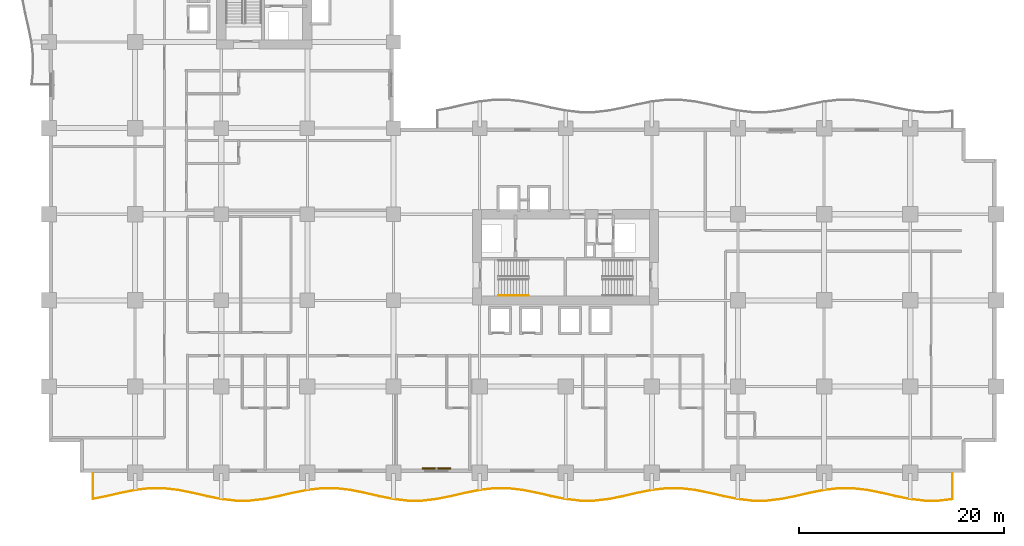
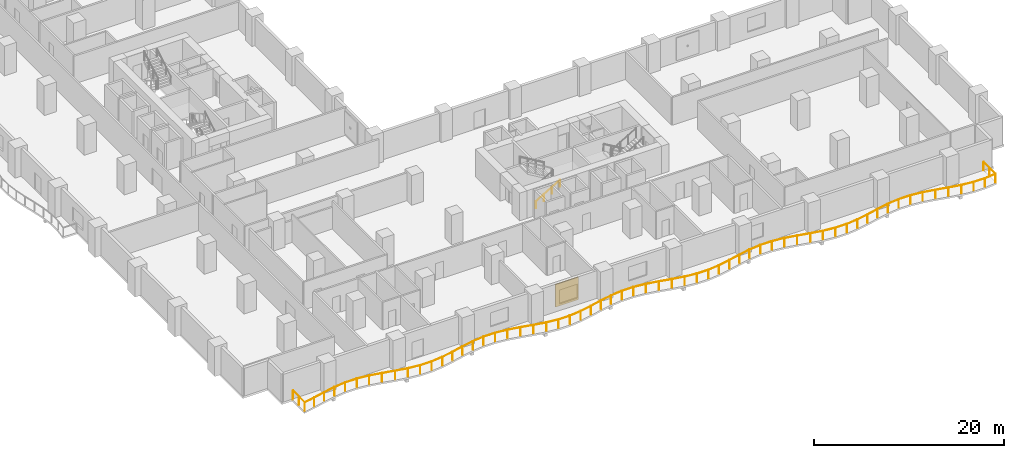
# One storey, part 17 of 20: 2 railings, 1 shading device.
"""IFC4 building model written with IfcOpenShell, lengths in metres."""

from ifc_helpers import new_model, si_unit, direction, frame, origin, origin_2d, place, context, subcontext, project, spatial, rectangle, circle, extrude, material, layer, layer_set, type_object, element, save


model = new_model("IFC4")

# Units and contexts
model_context = context("Model", 3, precision=1e-05, world=origin(), true_north=direction((0.0, 1.0)))
body_context = subcontext(model_context, "Body", "Model", "MODEL_VIEW")
ifc_project = project(units=[si_unit("LENGTHUNIT", "METRE"), si_unit("AREAUNIT", "SQUARE_METRE"), si_unit("VOLUMEUNIT", "CUBIC_METRE"), si_unit("PLANEANGLEUNIT", "RADIAN"), si_unit("MASSUNIT", "GRAM", prefix="KILO")], contexts=[model_context])

# Site, building, storey
site_placement = place(None, origin())
site = spatial("IfcSite", under=ifc_project, at=site_placement, CompositionType="ELEMENT")
building_placement = place(site_placement, origin())
building = spatial("IfcBuilding", under=site, at=building_placement, Name="Koriwani Terraces Tower", CompositionType="ELEMENT")
storey_placement = place(building_placement, frame((0.0, 0.0, 58.60009765625)))
storey = spatial("IfcBuildingStorey", under=building, at=storey_placement, Name="L13", CompositionType="ELEMENT", Elevation=58.60009765625)

# Railings
ifc_material_1 = material(Name="Steel ASTM A572 Grade 50", Category="steel")
railing_type_1 = type_object("IfcRailingType", Name="GUARD_BALUSTRADE_1150", PredefinedType="BALUSTRADE", material=ifc_material_1)
railing_1_placement = place(storey_placement, frame((4.280029296875, -0.080078125, 0.0)))
element("IfcRailing", 1, at=railing_1_placement, inside=storey, type_object=railing_type_1, Name="L13 Balcony Perimeter Safety Balustrade (S)", PredefinedType="BALUSTRADE", context=body_context, shape_type="SweptSolid", body=[
    extrude(circle(Radius=0.02392578125, at=origin_2d()), frame((0.0, 0.0, 1.1259765625), z_axis=(0.0, -1.0, 0.0), x_axis=(1.0, 0.0, 0.0)), (0.0, 0.0, 1.0), 2.4892578125),
    extrude(circle(Radius=0.02392578125, at=origin_2d()), frame((0.0, -2.4892578125, 1.1259765625), z_axis=(0.98055947051, 0.196222131254, 0.0), x_axis=(-0.196222131254, 0.98055947051, 0.0)), (0.0, 0.0, 1.0), 1.328857421875),
    extrude(circle(Radius=0.02392578125, at=origin_2d()), frame((1.302978515625, -2.228515625, 1.1259765625), z_axis=(0.974333896935, 0.225107657095, 0.0), x_axis=(-0.225107657095, 0.974333896935, 0.0)), (0.0, 0.0, 1.0), 1.43701171875),
    extrude(circle(Radius=0.02392578125, at=origin_2d()), frame((2.703125, -1.905029296875, 1.1259765625), z_axis=(0.980567562379, 0.196181690301, 0.0), x_axis=(-0.196181690301, 0.980567562379, 0.0)), (0.0, 0.0, 1.0), 1.432373046875),
    extrude(circle(Radius=0.02392578125, at=origin_2d()), frame((4.107666015625, -1.6240234375, 1.1259765625), z_axis=(0.993395347306, 0.114741814309, 0.0), x_axis=(-0.114741814309, 0.993395347306, 0.0)), (0.0, 0.0, 1.0), 1.4169921875),
    extrude(circle(Radius=0.02392578125, at=origin_2d()), frame((5.515380859375, -1.46142578125, 1.1259765625), z_axis=(1.0, 0.0, 0.0), x_axis=(0.0, 1.0, 0.0)), (0.0, 0.0, 1.0), 1.4091796875),
    extrude(circle(Radius=0.02392578125, at=origin_2d()), frame((6.924560546875, -1.46142578125, 1.1259765625), z_axis=(0.993395347306, -0.114741814309, 0.0), x_axis=(0.114741814309, 0.993395347306, 0.0)), (0.0, 0.0, 1.0), 1.4169921875),
    extrude(circle(Radius=0.02392578125, at=origin_2d()), frame((8.332275390625, -1.6240234375, 1.1259765625), z_axis=(0.980567562379, -0.196181690301, 0.0), x_axis=(0.196181690301, 0.980567562379, 0.0)), (0.0, 0.0, 1.0), 1.432373046875),
    extrude(circle(Radius=0.02392578125, at=origin_2d()), frame((9.73681640625, -1.905029296875, 1.1259765625), z_axis=(0.974333896935, -0.225107657095, 0.0), x_axis=(0.225107657095, 0.974333896935, 0.0)), (0.0, 0.0, 1.0), 1.43701171875),
    extrude(circle(Radius=0.02392578125, at=origin_2d()), frame((11.136962890625, -2.228515625, 1.1259765625), z_axis=(0.980554275191, -0.196248091466, 0.0), x_axis=(0.196248091466, 0.980554275191, 0.0)), (0.0, 0.0, 1.0), 1.423095703125),
    extrude(circle(Radius=0.02392578125, at=origin_2d()), frame((12.532470703125, -2.5078125, 1.1259765625), z_axis=(0.993387554732, -0.114809259658, 0.0), x_axis=(0.114809259658, 0.993387554732, 0.0)), (0.0, 0.0, 1.0), 1.4013671875),
    extrude(circle(Radius=0.02392578125, at=origin_2d()), frame((13.924560546875, -2.668701171875, 1.1259765625), z_axis=(1.0, 0.0, 0.0), x_axis=(0.0, 1.0, 0.0)), (0.0, 0.0, 1.0), 1.390869140625),
    extrude(circle(Radius=0.02392578125, at=origin_2d()), frame((15.3154296875, -2.668701171875, 1.1259765625), z_axis=(0.993387554732, 0.114809259658, 0.0), x_axis=(-0.114809259658, 0.993387554732, 0.0)), (0.0, 0.0, 1.0), 1.4013671875),
    extrude(circle(Radius=0.02392578125, at=origin_2d()), frame((16.70751953125, -2.5078125, 1.1259765625), z_axis=(0.980554275191, 0.196248091466, 0.0), x_axis=(-0.196248091466, 0.980554275191, 0.0)), (0.0, 0.0, 1.0), 1.423095703125),
    extrude(circle(Radius=0.02392578125, at=origin_2d()), frame((18.10302734375, -2.228515625, 1.1259765625), z_axis=(0.974333896935, 0.225107657095, 0.0), x_axis=(-0.225107657095, 0.974333896935, 0.0)), (0.0, 0.0, 1.0), 1.43701171875),
    extrude(circle(Radius=0.02392578125, at=origin_2d()), frame((19.503173828125, -1.905029296875, 1.1259765625), z_axis=(0.980561000791, 0.19621448399, 0.0), x_axis=(-0.19621448399, 0.980561000791, 0.0)), (0.0, 0.0, 1.0), 1.43212890625),
    extrude(circle(Radius=0.02392578125, at=origin_2d()), frame((20.907470703125, -1.6240234375, 1.1259765625), z_axis=(0.993397614974, 0.114722179915, 0.0), x_axis=(-0.114722179915, 0.993397614974, 0.0)), (0.0, 0.0, 1.0), 1.417236328125),
    extrude(circle(Radius=0.02392578125, at=origin_2d()), frame((22.3154296875, -1.46142578125, 1.1259765625), z_axis=(1.0, 0.0, 0.0), x_axis=(0.0, 1.0, 0.0)), (0.0, 0.0, 1.0), 1.4091796875),
    extrude(circle(Radius=0.02392578125, at=origin_2d()), frame((23.724609375, -1.46142578125, 1.1259765625), z_axis=(0.993395347306, -0.114741814309, 0.0), x_axis=(0.114741814309, 0.993395347306, 0.0)), (0.0, 0.0, 1.0), 1.4169921875),
    extrude(circle(Radius=0.02392578125, at=origin_2d()), frame((25.13232421875, -1.6240234375, 1.1259765625), z_axis=(0.980567562379, -0.196181690301, 0.0), x_axis=(0.196181690301, 0.980567562379, 0.0)), (0.0, 0.0, 1.0), 1.432373046875),
    extrude(circle(Radius=0.02392578125, at=origin_2d()), frame((26.536865234375, -1.905029296875, 1.1259765625), z_axis=(0.974325285753, -0.225144925641, 0.0), x_axis=(0.225144925641, 0.974325285753, 0.0)), (0.0, 0.0, 1.0), 1.436767578125),
    extrude(circle(Radius=0.02392578125, at=origin_2d()), frame((27.936767578125, -2.228515625, 1.1259765625), z_axis=(0.980560880312, -0.196215086073, 0.0), x_axis=(0.196215086073, 0.980560880312, 0.0)), (0.0, 0.0, 1.0), 1.42333984375),
    extrude(circle(Radius=0.02392578125, at=origin_2d()), frame((29.33251953125, -2.5078125, 1.1259765625), z_axis=(0.993387554732, -0.114809259658, 0.0), x_axis=(0.114809259658, 0.993387554732, 0.0)), (0.0, 0.0, 1.0), 1.4013671875),
    extrude(circle(Radius=0.02392578125, at=origin_2d()), frame((30.724609375, -2.668701171875, 1.1259765625), z_axis=(1.0, 0.0, 0.0), x_axis=(0.0, 1.0, 0.0)), (0.0, 0.0, 1.0), 1.390869140625),
    extrude(circle(Radius=0.02392578125, at=origin_2d()), frame((32.115478515625, -2.668701171875, 1.1259765625), z_axis=(0.993387554732, 0.114809259658, 0.0), x_axis=(-0.114809259658, 0.993387554732, 0.0)), (0.0, 0.0, 1.0), 1.4013671875),
    extrude(circle(Radius=0.02392578125, at=origin_2d()), frame((33.507568359375, -2.5078125, 1.1259765625), z_axis=(0.980554275191, 0.196248091466, 0.0), x_axis=(-0.196248091466, 0.980554275191, 0.0)), (0.0, 0.0, 1.0), 1.423095703125),
    extrude(circle(Radius=0.02392578125, at=origin_2d()), frame((34.903076171875, -2.228515625, 1.1259765625), z_axis=(0.974325285753, 0.225144925641, 0.0), x_axis=(-0.225144925641, 0.974325285753, 0.0)), (0.0, 0.0, 1.0), 1.436767578125),
    extrude(circle(Radius=0.02392578125, at=origin_2d()), frame((36.302978515625, -1.905029296875, 1.1259765625), z_axis=(0.980567562379, 0.196181690301, 0.0), x_axis=(-0.196181690301, 0.980567562379, 0.0)), (0.0, 0.0, 1.0), 1.432373046875),
    extrude(circle(Radius=0.02392578125, at=origin_2d()), frame((37.70751953125, -1.6240234375, 1.1259765625), z_axis=(0.993397614974, 0.114722179915, 0.0), x_axis=(-0.114722179915, 0.993397614974, 0.0)), (0.0, 0.0, 1.0), 1.417236328125),
    extrude(circle(Radius=0.02392578125, at=origin_2d()), frame((39.115478515625, -1.46142578125, 1.1259765625), z_axis=(1.0, 0.0, 0.0), x_axis=(0.0, 1.0, 0.0)), (0.0, 0.0, 1.0), 1.4091796875),
    extrude(circle(Radius=0.02392578125, at=origin_2d()), frame((40.524658203125, -1.46142578125, 1.1259765625), z_axis=(0.993395347306, -0.114741814309, 0.0), x_axis=(0.114741814309, 0.993395347306, 0.0)), (0.0, 0.0, 1.0), 1.4169921875),
    extrude(circle(Radius=0.02392578125, at=origin_2d()), frame((41.932373046875, -1.6240234375, 1.1259765625), z_axis=(0.980567562379, -0.196181690301, 0.0), x_axis=(0.196181690301, 0.980567562379, 0.0)), (0.0, 0.0, 1.0), 1.432373046875),
    extrude(circle(Radius=0.02392578125, at=origin_2d()), frame((43.3369140625, -1.905029296875, 1.1259765625), z_axis=(0.974325285753, -0.225144925641, 0.0), x_axis=(0.225144925641, 0.974325285753, 0.0)), (0.0, 0.0, 1.0), 1.436767578125),
    extrude(circle(Radius=0.02392578125, at=origin_2d()), frame((44.73681640625, -2.228515625, 1.1259765625), z_axis=(0.980560880312, -0.196215086073, 0.0), x_axis=(0.196215086073, 0.980560880312, 0.0)), (0.0, 0.0, 1.0), 1.42333984375),
    extrude(circle(Radius=0.02392578125, at=origin_2d()), frame((46.132568359375, -2.5078125, 1.1259765625), z_axis=(0.993387554732, -0.114809259658, 0.0), x_axis=(0.114809259658, 0.993387554732, 0.0)), (0.0, 0.0, 1.0), 1.4013671875),
    extrude(circle(Radius=0.02392578125, at=origin_2d()), frame((47.524658203125, -2.668701171875, 1.1259765625), z_axis=(1.0, 0.0, 0.0), x_axis=(0.0, 1.0, 0.0)), (0.0, 0.0, 1.0), 1.390625),
    extrude(circle(Radius=0.02392578125, at=origin_2d()), frame((48.915283203125, -2.668701171875, 1.1259765625), z_axis=(0.993387554732, 0.114809259658, 0.0), x_axis=(-0.114809259658, 0.993387554732, 0.0)), (0.0, 0.0, 1.0), 1.4013671875),
    extrude(circle(Radius=0.02392578125, at=origin_2d()), frame((50.307373046875, -2.5078125, 1.1259765625), z_axis=(0.980560880312, 0.196215086073, 0.0), x_axis=(-0.196215086073, 0.980560880312, 0.0)), (0.0, 0.0, 1.0), 1.42333984375),
    extrude(circle(Radius=0.02392578125, at=origin_2d()), frame((51.703125, -2.228515625, 1.1259765625), z_axis=(0.974325285753, 0.225144925641, 0.0), x_axis=(-0.225144925641, 0.974325285753, 0.0)), (0.0, 0.0, 1.0), 1.436767578125),
    extrude(circle(Radius=0.02392578125, at=origin_2d()), frame((53.10302734375, -1.905029296875, 1.1259765625), z_axis=(0.980567562379, 0.196181690301, 0.0), x_axis=(-0.196181690301, 0.980567562379, 0.0)), (0.0, 0.0, 1.0), 1.432373046875),
    extrude(circle(Radius=0.02392578125, at=origin_2d()), frame((54.507568359375, -1.6240234375, 1.1259765625), z_axis=(0.993395347306, 0.114741814309, 0.0), x_axis=(-0.114741814309, 0.993395347306, 0.0)), (0.0, 0.0, 1.0), 1.4169921875),
    extrude(circle(Radius=0.02392578125, at=origin_2d()), frame((55.915283203125, -1.46142578125, 1.1259765625), z_axis=(1.0, 0.0, 0.0), x_axis=(0.0, 1.0, 0.0)), (0.0, 0.0, 1.0), 1.4091796875),
    extrude(circle(Radius=0.02392578125, at=origin_2d()), frame((57.324462890625, -1.46142578125, 1.1259765625), z_axis=(0.993397614974, -0.114722179915, 0.0), x_axis=(0.114722179915, 0.993397614974, 0.0)), (0.0, 0.0, 1.0), 1.417236328125),
    extrude(circle(Radius=0.02392578125, at=origin_2d()), frame((58.732421875, -1.6240234375, 1.1259765625), z_axis=(0.980567562379, -0.196181690301, 0.0), x_axis=(0.196181690301, 0.980567562379, 0.0)), (0.0, 0.0, 1.0), 1.432373046875),
    extrude(circle(Radius=0.02392578125, at=origin_2d()), frame((60.136962890625, -1.905029296875, 1.1259765625), z_axis=(0.974325285753, -0.225144925641, 0.0), x_axis=(0.225144925641, 0.974325285753, 0.0)), (0.0, 0.0, 1.0), 1.436767578125),
    extrude(circle(Radius=0.02392578125, at=origin_2d()), frame((61.536865234375, -2.228515625, 1.1259765625), z_axis=(0.980554275191, -0.196248091466, 0.0), x_axis=(0.196248091466, 0.980554275191, 0.0)), (0.0, 0.0, 1.0), 1.423095703125),
    extrude(circle(Radius=0.02392578125, at=origin_2d()), frame((62.932373046875, -2.5078125, 1.1259765625), z_axis=(0.993387554732, -0.114809259658, 0.0), x_axis=(0.114809259658, 0.993387554732, 0.0)), (0.0, 0.0, 1.0), 1.4013671875),
    extrude(circle(Radius=0.02392578125, at=origin_2d()), frame((64.324462890625, -2.668701171875, 1.1259765625), z_axis=(1.0, 0.0, 0.0), x_axis=(0.0, 1.0, 0.0)), (0.0, 0.0, 1.0), 1.390869140625),
    extrude(circle(Radius=0.02392578125, at=origin_2d()), frame((65.71533203125, -2.668701171875, 1.1259765625), z_axis=(0.993387554732, 0.114809259658, 0.0), x_axis=(-0.114809259658, 0.993387554732, 0.0)), (0.0, 0.0, 1.0), 1.4013671875),
    extrude(circle(Radius=0.02392578125, at=origin_2d()), frame((67.107421875, -2.5078125, 1.1259765625), z_axis=(0.980560880312, 0.196215086073, 0.0), x_axis=(-0.196215086073, 0.980560880312, 0.0)), (0.0, 0.0, 1.0), 1.42333984375),
    extrude(circle(Radius=0.02392578125, at=origin_2d()), frame((68.503173828125, -2.228515625, 1.1259765625), z_axis=(0.974325285753, 0.225144925641, 0.0), x_axis=(-0.225144925641, 0.974325285753, 0.0)), (0.0, 0.0, 1.0), 1.436767578125),
    extrude(circle(Radius=0.02392578125, at=origin_2d()), frame((69.903076171875, -1.905029296875, 1.1259765625), z_axis=(0.980567562379, 0.196181690301, 0.0), x_axis=(-0.196181690301, 0.980567562379, 0.0)), (0.0, 0.0, 1.0), 1.432373046875),
    extrude(circle(Radius=0.02392578125, at=origin_2d()), frame((71.3076171875, -1.6240234375, 1.1259765625), z_axis=(0.993395347306, 0.114741814309, 0.0), x_axis=(-0.114741814309, 0.993395347306, 0.0)), (0.0, 0.0, 1.0), 1.4169921875),
    extrude(circle(Radius=0.02392578125, at=origin_2d()), frame((72.71533203125, -1.46142578125, 1.1259765625), z_axis=(1.0, 0.0, 0.0), x_axis=(0.0, 1.0, 0.0)), (0.0, 0.0, 1.0), 1.4091796875),
    extrude(circle(Radius=0.02392578125, at=origin_2d()), frame((74.12451171875, -1.46142578125, 1.1259765625), z_axis=(0.993397614974, -0.114722179915, 0.0), x_axis=(0.114722179915, 0.993397614974, 0.0)), (0.0, 0.0, 1.0), 1.417236328125),
    extrude(circle(Radius=0.02392578125, at=origin_2d()), frame((75.532470703125, -1.6240234375, 1.1259765625), z_axis=(0.980561000791, -0.19621448399, 0.0), x_axis=(0.19621448399, 0.980561000791, 0.0)), (0.0, 0.0, 1.0), 1.43212890625),
    extrude(circle(Radius=0.02392578125, at=origin_2d()), frame((76.936767578125, -1.905029296875, 1.1259765625), z_axis=(0.974333896935, -0.225107657095, 0.0), x_axis=(0.225107657095, 0.974333896935, 0.0)), (0.0, 0.0, 1.0), 1.43701171875),
    extrude(circle(Radius=0.02392578125, at=origin_2d()), frame((78.3369140625, -2.228515625, 1.1259765625), z_axis=(0.980554275191, -0.196248091466, 0.0), x_axis=(0.196248091466, 0.980554275191, 0.0)), (0.0, 0.0, 1.0), 1.423095703125),
    extrude(circle(Radius=0.02392578125, at=origin_2d()), frame((79.732421875, -2.5078125, 1.1259765625), z_axis=(0.993387554732, -0.114809259658, 0.0), x_axis=(0.114809259658, 0.993387554732, 0.0)), (0.0, 0.0, 1.0), 1.4013671875),
    extrude(circle(Radius=0.02392578125, at=origin_2d()), frame((81.12451171875, -2.668701171875, 1.1259765625), z_axis=(1.0, 0.0, 0.0), x_axis=(0.0, 1.0, 0.0)), (0.0, 0.0, 1.0), 1.390869140625),
    extrude(circle(Radius=0.02392578125, at=origin_2d()), frame((82.515380859375, -2.668701171875, 1.1259765625), z_axis=(0.993389678473, 0.114790882492, 0.0), x_axis=(-0.114790882492, 0.993389678473, 0.0)), (0.0, 0.0, 1.0), 1.33349609375),
    extrude(circle(Radius=0.02392578125, at=origin_2d()), frame((83.840087890625, -2.515625, 1.1259765625), z_axis=(0.0, 1.0, 0.0), x_axis=(-1.0, 0.0, 0.0)), (0.0, 0.0, 1.0), 2.515625),
    extrude(circle(Radius=0.02099609375, at=origin_2d()), origin(), (0.0, 0.0, 1.0), 1.101806640625),
    extrude(circle(Radius=0.02099609375, at=origin_2d()), frame((0.0, -1.24462890625, 0.0)), (0.0, 0.0, 1.0), 1.101806640625),
    extrude(circle(Radius=0.02099609375, at=origin_2d()), frame((0.0, -2.4892578125, 0.0)), (0.0, 0.0, 1.0), 1.101806640625),
    extrude(circle(Radius=0.02099609375, at=origin_2d()), frame((1.302978515625, -2.228515625, 0.0)), (0.0, 0.0, 1.0), 1.101806640625),
    extrude(circle(Radius=0.02099609375, at=origin_2d()), frame((2.703125, -1.905029296875, 0.0)), (0.0, 0.0, 1.0), 1.101806640625),
    extrude(circle(Radius=0.02099609375, at=origin_2d()), frame((4.107666015625, -1.6240234375, 0.0)), (0.0, 0.0, 1.0), 1.101806640625),
    extrude(circle(Radius=0.02099609375, at=origin_2d()), frame((5.515380859375, -1.46142578125, 0.0)), (0.0, 0.0, 1.0), 1.101806640625),
    extrude(circle(Radius=0.02099609375, at=origin_2d()), frame((6.924560546875, -1.46142578125, 0.0)), (0.0, 0.0, 1.0), 1.101806640625),
    extrude(circle(Radius=0.02099609375, at=origin_2d()), frame((8.332275390625, -1.6240234375, 0.0)), (0.0, 0.0, 1.0), 1.101806640625),
    extrude(circle(Radius=0.02099609375, at=origin_2d()), frame((9.73681640625, -1.905029296875, 0.0)), (0.0, 0.0, 1.0), 1.101806640625),
    extrude(circle(Radius=0.02099609375, at=origin_2d()), frame((11.136962890625, -2.228515625, 0.0)), (0.0, 0.0, 1.0), 1.101806640625),
    extrude(circle(Radius=0.02099609375, at=origin_2d()), frame((12.532470703125, -2.5078125, 0.0)), (0.0, 0.0, 1.0), 1.101806640625),
    extrude(circle(Radius=0.02099609375, at=origin_2d()), frame((13.924560546875, -2.668701171875, 0.0)), (0.0, 0.0, 1.0), 1.101806640625),
    extrude(circle(Radius=0.02099609375, at=origin_2d()), frame((15.3154296875, -2.668701171875, 0.0)), (0.0, 0.0, 1.0), 1.101806640625),
    extrude(circle(Radius=0.02099609375, at=origin_2d()), frame((16.70751953125, -2.5078125, 0.0)), (0.0, 0.0, 1.0), 1.101806640625),
    extrude(circle(Radius=0.02099609375, at=origin_2d()), frame((18.10302734375, -2.228515625, 0.0)), (0.0, 0.0, 1.0), 1.101806640625),
    extrude(circle(Radius=0.02099609375, at=origin_2d()), frame((19.503173828125, -1.905029296875, 0.0)), (0.0, 0.0, 1.0), 1.101806640625),
    extrude(circle(Radius=0.02099609375, at=origin_2d()), frame((20.907470703125, -1.6240234375, 0.0)), (0.0, 0.0, 1.0), 1.101806640625),
    extrude(circle(Radius=0.02099609375, at=origin_2d()), frame((22.3154296875, -1.46142578125, 0.0)), (0.0, 0.0, 1.0), 1.101806640625),
    extrude(circle(Radius=0.02099609375, at=origin_2d()), frame((23.724609375, -1.46142578125, 0.0)), (0.0, 0.0, 1.0), 1.101806640625),
    extrude(circle(Radius=0.02099609375, at=origin_2d()), frame((25.13232421875, -1.6240234375, 0.0)), (0.0, 0.0, 1.0), 1.101806640625),
    extrude(circle(Radius=0.02099609375, at=origin_2d()), frame((26.536865234375, -1.905029296875, 0.0)), (0.0, 0.0, 1.0), 1.101806640625),
    extrude(circle(Radius=0.02099609375, at=origin_2d()), frame((27.936767578125, -2.228515625, 0.0)), (0.0, 0.0, 1.0), 1.101806640625),
    extrude(circle(Radius=0.02099609375, at=origin_2d()), frame((29.33251953125, -2.5078125, 0.0)), (0.0, 0.0, 1.0), 1.101806640625),
    extrude(circle(Radius=0.02099609375, at=origin_2d()), frame((30.724609375, -2.668701171875, 0.0)), (0.0, 0.0, 1.0), 1.101806640625),
    extrude(circle(Radius=0.02099609375, at=origin_2d()), frame((32.115478515625, -2.668701171875, 0.0)), (0.0, 0.0, 1.0), 1.101806640625),
    extrude(circle(Radius=0.02099609375, at=origin_2d()), frame((33.507568359375, -2.5078125, 0.0)), (0.0, 0.0, 1.0), 1.101806640625),
    extrude(circle(Radius=0.02099609375, at=origin_2d()), frame((34.903076171875, -2.228515625, 0.0)), (0.0, 0.0, 1.0), 1.101806640625),
    extrude(circle(Radius=0.02099609375, at=origin_2d()), frame((36.302978515625, -1.905029296875, 0.0)), (0.0, 0.0, 1.0), 1.101806640625),
    extrude(circle(Radius=0.02099609375, at=origin_2d()), frame((37.70751953125, -1.6240234375, 0.0)), (0.0, 0.0, 1.0), 1.101806640625),
    extrude(circle(Radius=0.02099609375, at=origin_2d()), frame((39.115478515625, -1.46142578125, 0.0)), (0.0, 0.0, 1.0), 1.101806640625),
    extrude(circle(Radius=0.02099609375, at=origin_2d()), frame((40.524658203125, -1.46142578125, 0.0)), (0.0, 0.0, 1.0), 1.101806640625),
    extrude(circle(Radius=0.02099609375, at=origin_2d()), frame((41.932373046875, -1.6240234375, 0.0)), (0.0, 0.0, 1.0), 1.101806640625),
    extrude(circle(Radius=0.02099609375, at=origin_2d()), frame((43.3369140625, -1.905029296875, 0.0)), (0.0, 0.0, 1.0), 1.101806640625),
    extrude(circle(Radius=0.02099609375, at=origin_2d()), frame((44.73681640625, -2.228515625, 0.0)), (0.0, 0.0, 1.0), 1.101806640625),
    extrude(circle(Radius=0.02099609375, at=origin_2d()), frame((46.132568359375, -2.5078125, 0.0)), (0.0, 0.0, 1.0), 1.101806640625),
    extrude(circle(Radius=0.02099609375, at=origin_2d()), frame((47.524658203125, -2.668701171875, 0.0)), (0.0, 0.0, 1.0), 1.101806640625),
    extrude(circle(Radius=0.02099609375, at=origin_2d()), frame((48.915283203125, -2.668701171875, 0.0)), (0.0, 0.0, 1.0), 1.101806640625),
    extrude(circle(Radius=0.02099609375, at=origin_2d()), frame((50.307373046875, -2.5078125, 0.0)), (0.0, 0.0, 1.0), 1.101806640625),
    extrude(circle(Radius=0.02099609375, at=origin_2d()), frame((51.703125, -2.228515625, 0.0)), (0.0, 0.0, 1.0), 1.101806640625),
    extrude(circle(Radius=0.02099609375, at=origin_2d()), frame((53.10302734375, -1.905029296875, 0.0)), (0.0, 0.0, 1.0), 1.101806640625),
    extrude(circle(Radius=0.02099609375, at=origin_2d()), frame((54.507568359375, -1.6240234375, 0.0)), (0.0, 0.0, 1.0), 1.101806640625),
    extrude(circle(Radius=0.02099609375, at=origin_2d()), frame((55.915283203125, -1.46142578125, 0.0)), (0.0, 0.0, 1.0), 1.101806640625),
    extrude(circle(Radius=0.02099609375, at=origin_2d()), frame((57.324462890625, -1.46142578125, 0.0)), (0.0, 0.0, 1.0), 1.101806640625),
    extrude(circle(Radius=0.02099609375, at=origin_2d()), frame((58.732421875, -1.6240234375, 0.0)), (0.0, 0.0, 1.0), 1.101806640625),
    extrude(circle(Radius=0.02099609375, at=origin_2d()), frame((60.136962890625, -1.905029296875, 0.0)), (0.0, 0.0, 1.0), 1.101806640625),
    extrude(circle(Radius=0.02099609375, at=origin_2d()), frame((61.536865234375, -2.228515625, 0.0)), (0.0, 0.0, 1.0), 1.101806640625),
    extrude(circle(Radius=0.02099609375, at=origin_2d()), frame((62.932373046875, -2.5078125, 0.0)), (0.0, 0.0, 1.0), 1.101806640625),
    extrude(circle(Radius=0.02099609375, at=origin_2d()), frame((64.324462890625, -2.668701171875, 0.0)), (0.0, 0.0, 1.0), 1.101806640625),
    extrude(circle(Radius=0.02099609375, at=origin_2d()), frame((65.71533203125, -2.668701171875, 0.0)), (0.0, 0.0, 1.0), 1.101806640625),
    extrude(circle(Radius=0.02099609375, at=origin_2d()), frame((67.107421875, -2.5078125, 0.0)), (0.0, 0.0, 1.0), 1.101806640625),
    extrude(circle(Radius=0.02099609375, at=origin_2d()), frame((68.503173828125, -2.228515625, 0.0)), (0.0, 0.0, 1.0), 1.101806640625),
    extrude(circle(Radius=0.02099609375, at=origin_2d()), frame((69.903076171875, -1.905029296875, 0.0)), (0.0, 0.0, 1.0), 1.101806640625),
    extrude(circle(Radius=0.02099609375, at=origin_2d()), frame((71.3076171875, -1.6240234375, 0.0)), (0.0, 0.0, 1.0), 1.101806640625),
    extrude(circle(Radius=0.02099609375, at=origin_2d()), frame((72.71533203125, -1.46142578125, 0.0)), (0.0, 0.0, 1.0), 1.101806640625),
    extrude(circle(Radius=0.02099609375, at=origin_2d()), frame((74.12451171875, -1.46142578125, 0.0)), (0.0, 0.0, 1.0), 1.101806640625),
    extrude(circle(Radius=0.02099609375, at=origin_2d()), frame((75.532470703125, -1.6240234375, 0.0)), (0.0, 0.0, 1.0), 1.101806640625),
    extrude(circle(Radius=0.02099609375, at=origin_2d()), frame((76.936767578125, -1.905029296875, 0.0)), (0.0, 0.0, 1.0), 1.101806640625),
    extrude(circle(Radius=0.02099609375, at=origin_2d()), frame((78.3369140625, -2.228515625, 0.0)), (0.0, 0.0, 1.0), 1.101806640625),
    extrude(circle(Radius=0.02099609375, at=origin_2d()), frame((79.732421875, -2.5078125, 0.0)), (0.0, 0.0, 1.0), 1.101806640625),
    extrude(circle(Radius=0.02099609375, at=origin_2d()), frame((81.12451171875, -2.668701171875, 0.0)), (0.0, 0.0, 1.0), 1.101806640625),
    extrude(circle(Radius=0.02099609375, at=origin_2d()), frame((82.515380859375, -2.668701171875, 0.0)), (0.0, 0.0, 1.0), 1.101806640625),
    extrude(circle(Radius=0.02099609375, at=origin_2d()), frame((83.840087890625, -2.515625, 0.0)), (0.0, 0.0, 1.0), 1.101806640625),
    extrude(circle(Radius=0.02099609375, at=origin_2d()), frame((83.840087890625, -1.2578125, 0.0)), (0.0, 0.0, 1.0), 1.101806640625),
    extrude(circle(Radius=0.02099609375, at=origin_2d()), frame((83.840087890625, 0.0, 0.0)), (0.0, 0.0, 1.0), 1.101806640625),
])
railing_type_2 = type_object("IfcRailingType", Name="HANDRAIL_STAIR_920", PredefinedType="HANDRAIL", material=ifc_material_1)
railing_2_placement = place(storey_placement, frame((43.85009765625, 17.300048828125, 0.172607421875)))
element("IfcRailing", 2, at=railing_2_placement, inside=storey, type_object=railing_type_2, Name="L13 ST-E1 stair handrail 1", PredefinedType="HANDRAIL", context=body_context, shape_type="SweptSolid", body=[
    extrude(circle(Radius=0.02392578125, at=origin_2d()), frame((0.0, 0.0, 0.8759765625), z_axis=(0.859141464434, 0.0, 0.511738159696), x_axis=(0.0, 1.0, 0.0)), (0.0, 0.0, 1.0), 3.375244140625),
    extrude(circle(Radius=0.02099609375, at=origin_2d()), origin(), (0.0, 0.0, 1.0), 0.851806640625),
    extrude(circle(Radius=0.02099609375, at=origin_2d()), frame((0.966552734375, 0.0, 0.57568359375)), (0.0, 0.0, 1.0), 0.851806640625),
    extrude(circle(Radius=0.02099609375, at=origin_2d()), frame((1.933349609375, 0.0, 1.151611328125)), (0.0, 0.0, 1.0), 0.851806640625),
    extrude(circle(Radius=0.02099609375, at=origin_2d()), frame((2.89990234375, 0.0, 1.727294921875)), (0.0, 0.0, 1.0), 0.851806640625),
])

# Shading device
ifc_material_2 = material(Name="Extruded Terracotta Clay", Category="masonry")
ifc_layer = layer(ifc_material_2, 0.1201171875, Name="Extruded Terracotta Clay")
ifc_layer_set = layer_set([ifc_layer], Name="Extruded Terracotta Clay")
shading_device_type = type_object("IfcShadingDeviceType", Name="TERRACOTTA_BAGUETTE_SCREEN_2800", PredefinedType="USERDEFINED", material=ifc_layer_set)
shading_device_placement = place(storey_placement, frame((37.800048828125, 0.405029296875, 0.324951171875), z_axis=(0.0, 0.0, 1.0), x_axis=(-1.0, 0.0, 0.0)))
element("IfcShadingDevice", 3, at=shading_device_placement, inside=storey, type_object=shading_device_type, Name="L13 Extruded Terracotta Baguette Screen (S-12)", ObjectType="BAGUETTE", PredefinedType="USERDEFINED", context=body_context, shape_type="SweptSolid", body=[
    extrude(rectangle(XDim=2.760009765625, YDim=0.1201171875, at=origin_2d()), origin(), (0.0, 0.0, 1.0), 2.89990234375),
])

save(model, "model.ifc")
